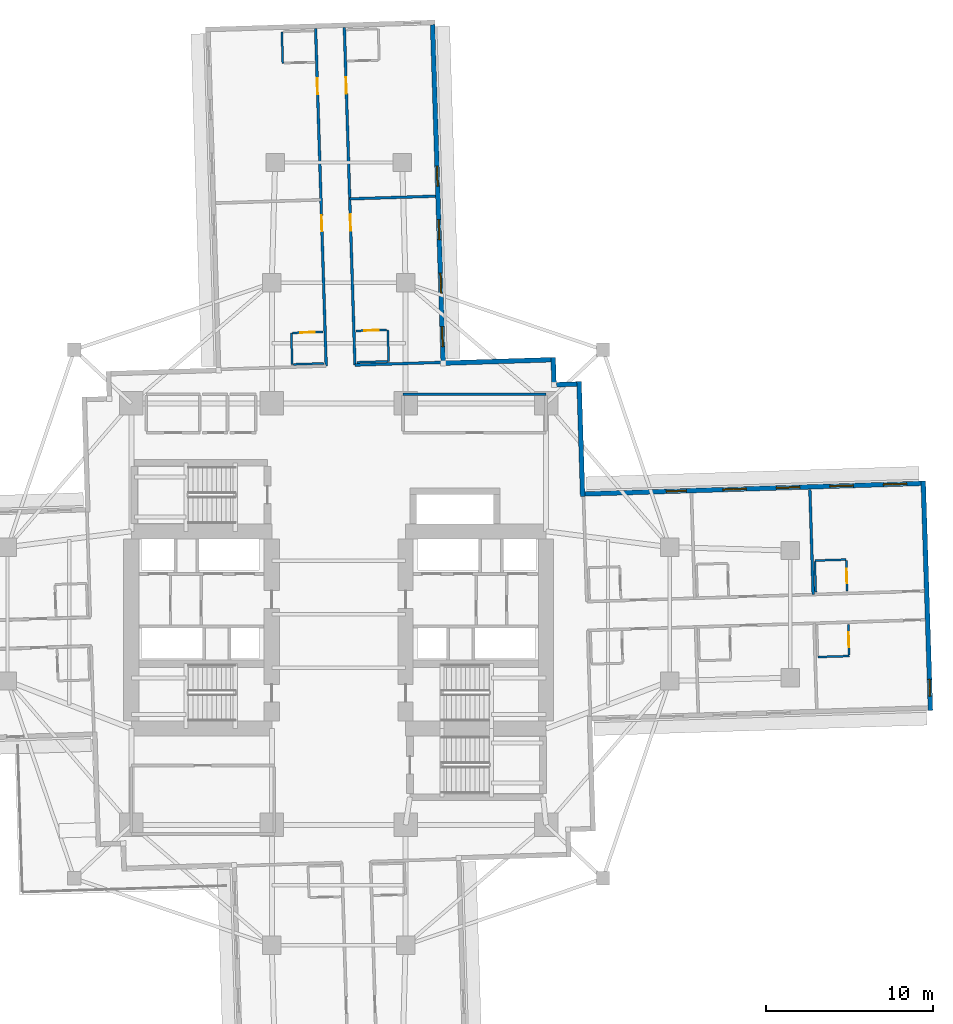
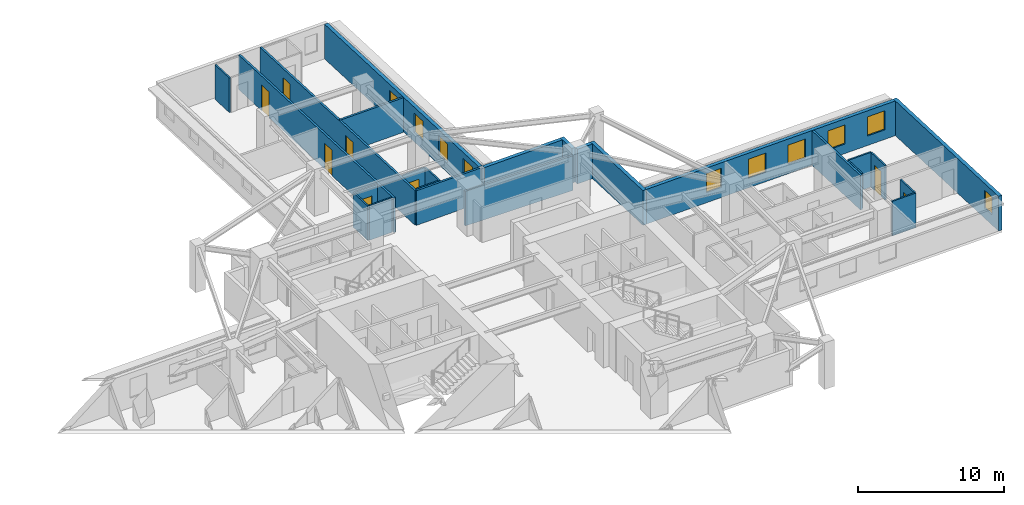
# One storey, part 8 of 14: 25 walls, 10 windows, 8 doors, 18 openings.
"""IFC4 building model written with IfcOpenShell, lengths in metres."""

from ifc_helpers import new_model, si_unit, direction, frame, frame_2d, origin, place, context, subcontext, project, spatial, rectangle, extrude, material, layer, layer_set, type_object, element, fill, save


model = new_model("IFC4")

# Units and contexts
model_context = context("Model", 3, precision=1e-05, world=origin(), true_north=direction((0.0, 1.0)))
body_context = subcontext(model_context, "Body", "Model", "MODEL_VIEW")
ifc_project = project(units=[si_unit("LENGTHUNIT", "METRE"), si_unit("AREAUNIT", "SQUARE_METRE"), si_unit("VOLUMEUNIT", "CUBIC_METRE"), si_unit("PLANEANGLEUNIT", "RADIAN"), si_unit("MASSUNIT", "GRAM", prefix="KILO")], contexts=[model_context])

# Site, building, storey
site_placement = place(None, origin())
site = spatial("IfcSite", under=ifc_project, at=site_placement, CompositionType="ELEMENT")
building_placement = place(site_placement, origin())
building = spatial("IfcBuilding", under=site, at=building_placement, Name="Qingluan Cross Belvedere", CompositionType="ELEMENT")
storey_placement = place(building_placement, frame((0.0, 0.0, 56.10009765625)))
storey = spatial("IfcBuildingStorey", under=building, at=storey_placement, Name="L14", CompositionType="ELEMENT", Elevation=56.10009765625)

# Walls
ifc_material_1 = material(Name="Gypsum plasterboard on steel stud acoustic partition", Category="steel")
ifc_layer_1 = layer(ifc_material_1, 0.159912109375, Name="CorridorPartition_160")
ifc_layer_set_1 = layer_set([ifc_layer_1], Name="Gypsum plasterboard on steel stud acoustic partition")
wall_type_1 = type_object("IfcWallType", Name="CorridorPartition_160", PredefinedType="PARTITIONING", material=ifc_layer_set_1)
wall_1_placement = place(storey_placement, frame((3.85009765625, 13.14990234375, 0.0), z_axis=(0.0, 0.0, 1.0), x_axis=(1.0, 0.0, 0.0)))
element("IfcWall", 1, at=wall_1_placement, inside=storey, type_object=wall_type_1, Name="Partition L14:q_ne:N", PredefinedType="PARTITIONING", context=body_context, shape_type="SweptSolid", body=[
    extrude(rectangle(XDim=8.5498046875, YDim=0.159912109375, at=frame_2d((4.27490234375, 0.0))), origin(), (0.0, 0.0, 1.0), 2.89990234375),
])
wall_2_placement = place(storey_placement, frame((28.3671875, 1.171630859375, 0.0), z_axis=(0.0, 0.0, 1.0), x_axis=(-0.031429784908, 0.999505962274, 0.0)))
element("IfcWall", 2, at=wall_2_placement, inside=storey, type_object=wall_type_1, Name="Partition L14:E:d0_1", PredefinedType="PARTITIONING", context=body_context, shape_type="SweptSolid", body=[
    extrude(rectangle(XDim=6.2919921875, YDim=0.159912109375, at=frame_2d((3.14599609375, 0.0))), origin(), (0.0, 0.0, 1.0), 2.89990234375),
])

# Wall, openings, doors
wall_3_placement = place(storey_placement, frame((0.972900390625, 14.887939453125, 0.0), z_axis=(0.0, 0.0, 1.0), x_axis=(-0.031416030536, 0.99950639469, 0.0)))
wall_3 = element("IfcWall", 3, at=wall_3_placement, inside=storey, type_object=wall_type_1, Name="Partition L14:N:c0", PredefinedType="PARTITIONING", context=body_context, shape_type="SweptSolid", body=[
    extrude(rectangle(XDim=20.181884765625, YDim=0.159912109375, at=frame_2d((10.0908203125, 0.0))), origin(), (0.0, 0.0, 1.0), 2.89990234375),
])
opening_1_placement = place(wall_3_placement, frame((8.047119140625, 0.0, 0.0)))
opening_1 = element("IfcOpeningElement", 4, at=opening_1_placement, cuts=wall_3, Name="Opening GD-10", PredefinedType="OPENING", context=body_context, shape_type="SweptSolid", body=[
    extrude(rectangle(XDim=0.9599609375, YDim=2.14990234375, at=frame_2d((0.47998046875, 1.074951171875))), frame((0.0, 0.08984375, 0.0), z_axis=(0.0, -1.0, 0.0), x_axis=(1.0, 0.0, 0.0)), (0.0, 0.0, 1.0), 0.179931640625),
])
opening_2_placement = place(wall_3_placement, frame((16.242919921875, 0.0, 0.0)))
opening_2 = element("IfcOpeningElement", 5, at=opening_2_placement, cuts=wall_3, Name="Opening GD-10", PredefinedType="OPENING", context=body_context, shape_type="SweptSolid", body=[
    extrude(rectangle(XDim=0.9599609375, YDim=2.14990234375, at=frame_2d((0.47998046875, 1.074951171875))), frame((0.0, 0.08984375, 0.0), z_axis=(0.0, -1.0, 0.0), x_axis=(1.0, 0.0, 0.0)), (0.0, 0.0, 1.0), 0.179931640625),
])
ifc_material_2 = material(Name="Timber oak fire-rated acoustic guestroom door", Category="wood")
door_type_1 = type_object("IfcDoorType", Name="GuestEntryDoor_FD60", OperationType="NOTDEFINED", PredefinedType="DOOR", material=ifc_material_2)
door_1_placement = place(opening_1_placement, origin())
door_1 = element("IfcDoor", 6, at=door_1_placement, inside=storey, type_object=door_type_1, Name="Guest entry fire door 1413", OperationType="SINGLE_SWING_LEFT", OverallHeight=2.14990234375, OverallWidth=0.9599609375, PredefinedType="DOOR", context=body_context, shape_type="SweptSolid", body=[
    extrude(rectangle(XDim=0.9599609375, YDim=2.14990234375, at=frame_2d((0.47998046875, 1.074951171875))), frame((0.0, 0.02490234375, 0.0), z_axis=(0.0, -1.0, 0.0), x_axis=(1.0, 0.0, 0.0)), (0.0, 0.0, 1.0), 0.050048828125),
])
fill(opening_1, door_1)
door_2_placement = place(opening_2_placement, origin())
door_2 = element("IfcDoor", 7, at=door_2_placement, inside=storey, type_object=door_type_1, Name="Guest entry fire door 1414", OperationType="SINGLE_SWING_LEFT", OverallHeight=2.14990234375, OverallWidth=0.9599609375, PredefinedType="DOOR", context=body_context, shape_type="SweptSolid", body=[
    extrude(rectangle(XDim=0.9599609375, YDim=2.14990234375, at=frame_2d((0.47998046875, 1.074951171875))), frame((0.0, 0.02490234375, 0.0), z_axis=(0.0, -1.0, 0.0), x_axis=(1.0, 0.0, 0.0)), (0.0, 0.0, 1.0), 0.050048828125),
])
fill(opening_2, door_2)

# Walls
wall_4_placement = place(storey_placement, frame((0.972900390625, 14.887939453125, 0.0), z_axis=(0.0, 0.0, 1.0), x_axis=(0.99950701053, 0.031396431354, 0.0)))
element("IfcWall", 8, at=wall_4_placement, inside=storey, type_object=wall_type_1, Name="Partition L14:N:s0", PredefinedType="PARTITIONING", context=body_context, shape_type="SweptSolid", body=[
    extrude(rectangle(XDim=5.280029296875, YDim=0.159912109375, at=frame_2d((2.64013671875, 0.0))), origin(), (0.0, 0.0, 1.0), 2.89990234375),
])
wall_5_placement = place(storey_placement, frame((0.66064453125, 24.823974609375, 0.0), z_axis=(0.0, 0.0, 1.0), x_axis=(0.999506957349, 0.031398124315, 0.0)))
element("IfcWall", 9, at=wall_5_placement, inside=storey, type_object=wall_type_1, Name="Partition L14:N:d0_0", PredefinedType="PARTITIONING", context=body_context, shape_type="SweptSolid", body=[
    extrude(rectangle(XDim=5.1318359375, YDim=0.159912109375, at=frame_2d((2.56591796875, 0.0))), origin(), (0.0, 0.0, 1.0), 2.89990234375),
])

# Wall, openings, doors
wall_6_placement = place(storey_placement, frame((-0.746337890625, 14.833984375, 0.0), z_axis=(0.0, 0.0, 1.0), x_axis=(-0.031416030536, 0.99950639469, 0.0)))
wall_6 = element("IfcWall", 10, at=wall_6_placement, inside=storey, type_object=wall_type_1, Name="Partition L14:N:c1", PredefinedType="PARTITIONING", context=body_context, shape_type="SweptSolid", body=[
    extrude(rectangle(XDim=20.181884765625, YDim=0.159912109375, at=frame_2d((10.0908203125, 0.0))), origin(), (0.0, 0.0, 1.0), 2.89990234375),
])
opening_3_placement = place(wall_6_placement, frame((8.047119140625, 0.0, 0.0)))
opening_3 = element("IfcOpeningElement", 11, at=opening_3_placement, cuts=wall_6, Name="Opening GD-10", PredefinedType="OPENING", context=body_context, shape_type="SweptSolid", body=[
    extrude(rectangle(XDim=0.9599609375, YDim=2.14990234375, at=frame_2d((0.47998046875, 1.074951171875))), frame((0.0, 0.08984375, 0.0), z_axis=(0.0, -1.0, 0.0), x_axis=(1.0, 0.0, 0.0)), (0.0, 0.0, 1.0), 0.179931640625),
])
opening_4_placement = place(wall_6_placement, frame((16.242919921875, 0.0, 0.0)))
opening_4 = element("IfcOpeningElement", 12, at=opening_4_placement, cuts=wall_6, Name="Opening GD-10", PredefinedType="OPENING", context=body_context, shape_type="SweptSolid", body=[
    extrude(rectangle(XDim=0.9599609375, YDim=2.14990234375, at=frame_2d((0.47998046875, 1.074951171875))), frame((0.0, 0.08984375, 0.0), z_axis=(0.0, -1.0, 0.0), x_axis=(1.0, 0.0, 0.0)), (0.0, 0.0, 1.0), 0.179931640625),
])
door_3_placement = place(opening_3_placement, origin())
door_3 = element("IfcDoor", 13, at=door_3_placement, inside=storey, type_object=door_type_1, Name="Guest entry fire door 1415", OperationType="SINGLE_SWING_LEFT", OverallHeight=2.14990234375, OverallWidth=0.9599609375, PredefinedType="DOOR", context=body_context, shape_type="SweptSolid", body=[
    extrude(rectangle(XDim=0.9599609375, YDim=2.14990234375, at=frame_2d((0.47998046875, 1.074951171875))), frame((0.0, 0.02490234375, 0.0), z_axis=(0.0, -1.0, 0.0), x_axis=(1.0, 0.0, 0.0)), (0.0, 0.0, 1.0), 0.050048828125),
])
fill(opening_3, door_3)
door_4_placement = place(opening_4_placement, origin())
door_4 = element("IfcDoor", 14, at=door_4_placement, inside=storey, type_object=door_type_1, Name="Guest entry fire door 1416", OperationType="SINGLE_SWING_LEFT", OverallHeight=2.14990234375, OverallWidth=0.9599609375, PredefinedType="DOOR", context=body_context, shape_type="SweptSolid", body=[
    extrude(rectangle(XDim=0.9599609375, YDim=2.14990234375, at=frame_2d((0.47998046875, 1.074951171875))), frame((0.0, 0.02490234375, 0.0), z_axis=(0.0, -1.0, 0.0), x_axis=(1.0, 0.0, 0.0)), (0.0, 0.0, 1.0), 0.050048828125),
])
fill(opening_4, door_4)

# Wall, opening, door
ifc_material_3 = material(Name="Moisture-resistant gypsum board lining")
ifc_layer_2 = layer(ifc_material_3, 0.1201171875, Name="EnsuiteWetPartition_120")
ifc_layer_set_2 = layer_set([ifc_layer_2], Name="Moisture-resistant gypsum board lining")
wall_type_2 = type_object("IfcWallType", Name="EnsuiteWetPartition_120", PredefinedType="PARTITIONING", material=ifc_layer_set_2)
wall_7_placement = place(storey_placement, frame((30.40185546875, 1.37548828125, 0.0), z_axis=(0.0, 0.0, 1.0), x_axis=(-0.03152371574, 0.999503004171, 0.0)))
wall_7 = element("IfcWall", 15, at=wall_7_placement, inside=storey, type_object=wall_type_2, Name="Partition L14:E:bs0_2", PredefinedType="PARTITIONING", context=body_context, shape_type="SweptSolid", body=[
    extrude(rectangle(XDim=1.820068359375, YDim=0.1201171875, at=frame_2d((0.91015625, 0.0))), origin(), (0.0, 0.0, 1.0), 2.89990234375),
])
opening_5_placement = place(wall_7_placement, frame((0.469970703125, 0.0, 0.0)))
opening_5 = element("IfcOpeningElement", 16, at=opening_5_placement, cuts=wall_7, Name="Opening BD-09", PredefinedType="OPENING", context=body_context, shape_type="SweptSolid", body=[
    extrude(rectangle(XDim=0.8798828125, YDim=2.10009765625, at=frame_2d((0.43994140625, 1.050048828125))), frame((0.0, 0.070068359375, 0.0), z_axis=(0.0, -1.0, 0.0), x_axis=(1.0, 0.0, 0.0)), (0.0, 0.0, 1.0), 0.14013671875),
])
ifc_material_4 = material(Name="Moisture-sealed timber en-suite door", Category="wood")
door_type_2 = type_object("IfcDoorType", Name="BathroomDoor_880", OperationType="NOTDEFINED", PredefinedType="DOOR", material=ifc_material_4)
door_5_placement = place(opening_5_placement, origin())
door_5 = element("IfcDoor", 17, at=door_5_placement, inside=storey, type_object=door_type_2, Name="Bathroom door 1403", OperationType="SINGLE_SWING_RIGHT", OverallHeight=2.10009765625, OverallWidth=0.8798828125, PredefinedType="DOOR", context=body_context, shape_type="SweptSolid", body=[
    extrude(rectangle(XDim=0.8798828125, YDim=2.10009765625, at=frame_2d((0.43994140625, 1.050048828125))), frame((0.0, 0.02490234375, 0.0), z_axis=(0.0, -1.0, 0.0), x_axis=(1.0, 0.0, 0.0)), (0.0, 0.0, 1.0), 0.050048828125),
])
fill(opening_5, door_5)

# Walls
wall_8_placement = place(storey_placement, frame((28.522705078125, 1.316650390625, 0.0), z_axis=(0.0, 0.0, 1.0), x_axis=(-0.031389704724, 0.999507221803, 0.0)))
element("IfcWall", 18, at=wall_8_placement, inside=storey, type_object=wall_type_2, Name="Partition L14:E:bw0_2", PredefinedType="PARTITIONING", context=body_context, shape_type="SweptSolid", body=[
    extrude(rectangle(XDim=1.820068359375, YDim=0.1201171875, at=frame_2d((0.91015625, 0.0))), origin(), (0.0, 0.0, 1.0), 2.89990234375),
])
wall_9_placement = place(storey_placement, frame((28.46337890625, 3.20068359375, 0.0), z_axis=(0.0, 0.0, 1.0), x_axis=(0.999506103526, 0.031425292588, 0.0)))
element("IfcWall", 19, at=wall_9_placement, inside=storey, type_object=wall_type_2, Name="Partition L14:E:bn0_2", PredefinedType="PARTITIONING", context=body_context, shape_type="SweptSolid", body=[
    extrude(rectangle(XDim=1.880126953125, YDim=0.1201171875, at=frame_2d((0.93994140625, 0.0))), origin(), (0.0, 0.0, 1.0), 2.89990234375),
])

# Wall, opening, door
wall_10_placement = place(storey_placement, frame((30.521728515625, -2.4423828125, 0.0), z_axis=(0.0, 0.0, 1.0), x_axis=(-0.031389704724, 0.999507221803, 0.0)))
wall_10 = element("IfcWall", 20, at=wall_10_placement, inside=storey, type_object=wall_type_2, Name="Partition L14:E:bs1_2", PredefinedType="PARTITIONING", context=body_context, shape_type="SweptSolid", body=[
    extrude(rectangle(XDim=1.820068359375, YDim=0.1201171875, at=frame_2d((0.91015625, 0.0))), origin(), (0.0, 0.0, 1.0), 2.89990234375),
])
opening_6_placement = place(wall_10_placement, frame((0.469970703125, 0.0, 0.0)))
opening_6 = element("IfcOpeningElement", 21, at=opening_6_placement, cuts=wall_10, Name="Opening BD-09", PredefinedType="OPENING", context=body_context, shape_type="SweptSolid", body=[
    extrude(rectangle(XDim=0.8798828125, YDim=2.10009765625, at=frame_2d((0.43994140625, 1.050048828125))), frame((0.0, 0.070068359375, 0.0), z_axis=(0.0, -1.0, 0.0), x_axis=(1.0, 0.0, 0.0)), (0.0, 0.0, 1.0), 0.14013671875),
])
door_6_placement = place(opening_6_placement, origin())
door_6 = element("IfcDoor", 22, at=door_6_placement, inside=storey, type_object=door_type_2, Name="Bathroom door 1406", OperationType="SINGLE_SWING_RIGHT", OverallHeight=2.10009765625, OverallWidth=0.8798828125, PredefinedType="DOOR", context=body_context, shape_type="SweptSolid", body=[
    extrude(rectangle(XDim=0.8798828125, YDim=2.10009765625, at=frame_2d((0.43994140625, 1.050048828125))), frame((0.0, 0.02490234375, 0.0), z_axis=(0.0, -1.0, 0.0), x_axis=(1.0, 0.0, 0.0)), (0.0, 0.0, 1.0), 0.050048828125),
])
fill(opening_6, door_6)

# Wall
wall_11_placement = place(storey_placement, frame((28.644775390625, -2.56640625, 0.0), z_axis=(0.0, 0.0, 1.0), x_axis=(0.999510046681, 0.031299625942, 0.0)))
element("IfcWall", 23, at=wall_11_placement, inside=storey, type_object=wall_type_2, Name="Partition L14:E:bc1_2", PredefinedType="PARTITIONING", context=body_context, shape_type="SweptSolid", body=[
    extrude(rectangle(XDim=1.8798828125, YDim=0.1201171875, at=frame_2d((0.93994140625, 0.0))), origin(), (0.0, 0.0, 1.0), 2.89990234375),
])

# Wall, opening, door
wall_12_placement = place(storey_placement, frame((1.048583984375, 16.931396484375, 0.0), z_axis=(0.0, 0.0, 1.0), x_axis=(0.999507353951, 0.031385496622, 0.0)))
wall_12 = element("IfcWall", 24, at=wall_12_placement, inside=storey, type_object=wall_type_2, Name="Partition L14:N:bs0_0", PredefinedType="PARTITIONING", context=body_context, shape_type="SweptSolid", body=[
    extrude(rectangle(XDim=1.8203125, YDim=0.1201171875, at=frame_2d((0.91015625, 0.0))), origin(), (0.0, 0.0, 1.0), 2.89990234375),
])
opening_7_placement = place(wall_12_placement, frame((0.469970703125, 0.0, 0.0)))
opening_7 = element("IfcOpeningElement", 25, at=opening_7_placement, cuts=wall_12, Name="Opening BD-09", PredefinedType="OPENING", context=body_context, shape_type="SweptSolid", body=[
    extrude(rectangle(XDim=0.8798828125, YDim=2.10009765625, at=frame_2d((0.43994140625, 1.050048828125))), frame((0.0, 0.070068359375, 0.0), z_axis=(0.0, -1.0, 0.0), x_axis=(1.0, 0.0, 0.0)), (0.0, 0.0, 1.0), 0.14013671875),
])
door_7_placement = place(opening_7_placement, origin())
door_7 = element("IfcDoor", 26, at=door_7_placement, inside=storey, type_object=door_type_2, Name="Bathroom door 1413", OperationType="SINGLE_SWING_RIGHT", OverallHeight=2.10009765625, OverallWidth=0.8798828125, PredefinedType="DOOR", context=body_context, shape_type="SweptSolid", body=[
    extrude(rectangle(XDim=0.8798828125, YDim=2.10009765625, at=frame_2d((0.43994140625, 1.050048828125))), frame((0.0, 0.02490234375, 0.0), z_axis=(0.0, -1.0, 0.0), x_axis=(1.0, 0.0, 0.0)), (0.0, 0.0, 1.0), 0.050048828125),
])
fill(opening_7, door_7)

# Walls
wall_13_placement = place(storey_placement, frame((1.107666015625, 15.05224609375, 0.0), z_axis=(0.0, 0.0, 1.0), x_axis=(0.999507221803, 0.031389704724, 0.0)))
element("IfcWall", 27, at=wall_13_placement, inside=storey, type_object=wall_type_2, Name="Partition L14:N:bw0_0", PredefinedType="PARTITIONING", context=body_context, shape_type="SweptSolid", body=[
    extrude(rectangle(XDim=1.820068359375, YDim=0.1201171875, at=frame_2d((0.91015625, 0.0))), origin(), (0.0, 0.0, 1.0), 2.89990234375),
])
wall_14_placement = place(storey_placement, frame((2.99169921875, 15.111328125, 0.0), z_axis=(0.0, 0.0, 1.0), x_axis=(-0.031295563454, 0.999510173889, 0.0)))
element("IfcWall", 28, at=wall_14_placement, inside=storey, type_object=wall_type_2, Name="Partition L14:N:bn0_0", PredefinedType="PARTITIONING", context=body_context, shape_type="SweptSolid", body=[
    extrude(rectangle(XDim=1.880126953125, YDim=0.1201171875, at=frame_2d((0.93994140625, 0.0))), origin(), (0.0, 0.0, 1.0), 2.89990234375),
])

# Wall, opening, door
wall_15_placement = place(storey_placement, frame((-2.769287109375, 16.811279296875, 0.0), z_axis=(0.0, 0.0, 1.0), x_axis=(0.999507221803, 0.031389704724, 0.0)))
wall_15 = element("IfcWall", 29, at=wall_15_placement, inside=storey, type_object=wall_type_2, Name="Partition L14:N:bs1_0", PredefinedType="PARTITIONING", context=body_context, shape_type="SweptSolid", body=[
    extrude(rectangle(XDim=1.820068359375, YDim=0.1201171875, at=frame_2d((0.91015625, 0.0))), origin(), (0.0, 0.0, 1.0), 2.89990234375),
])
opening_8_placement = place(wall_15_placement, frame((0.469970703125, 0.0, 0.0)))
opening_8 = element("IfcOpeningElement", 30, at=opening_8_placement, cuts=wall_15, Name="Opening BD-09", PredefinedType="OPENING", context=body_context, shape_type="SweptSolid", body=[
    extrude(rectangle(XDim=0.8798828125, YDim=2.10009765625, at=frame_2d((0.43994140625, 1.050048828125))), frame((0.0, 0.070068359375, 0.0), z_axis=(0.0, -1.0, 0.0), x_axis=(1.0, 0.0, 0.0)), (0.0, 0.0, 1.0), 0.14013671875),
])
door_8_placement = place(opening_8_placement, origin())
door_8 = element("IfcDoor", 31, at=door_8_placement, inside=storey, type_object=door_type_2, Name="Bathroom door 1415", OperationType="SINGLE_SWING_RIGHT", OverallHeight=2.10009765625, OverallWidth=0.8798828125, PredefinedType="DOOR", context=body_context, shape_type="SweptSolid", body=[
    extrude(rectangle(XDim=0.8798828125, YDim=2.10009765625, at=frame_2d((0.43994140625, 1.050048828125))), frame((0.0, 0.02490234375, 0.0), z_axis=(0.0, -1.0, 0.0), x_axis=(1.0, 0.0, 0.0)), (0.0, 0.0, 1.0), 0.050048828125),
])
fill(opening_8, door_8)

# Walls
wall_16_placement = place(storey_placement, frame((-2.71044921875, 14.93212890625, 0.0), z_axis=(0.0, 0.0, 1.0), x_axis=(0.999503004171, 0.03152371574, 0.0)))
element("IfcWall", 32, at=wall_16_placement, inside=storey, type_object=wall_type_2, Name="Partition L14:N:bw1_0", PredefinedType="PARTITIONING", context=body_context, shape_type="SweptSolid", body=[
    extrude(rectangle(XDim=1.820068359375, YDim=0.1201171875, at=frame_2d((0.91015625, 0.0))), origin(), (0.0, 0.0, 1.0), 2.89990234375),
])
wall_17_placement = place(storey_placement, frame((-2.775390625, 14.93017578125, 0.0), z_axis=(0.0, 0.0, 1.0), x_axis=(-0.031425292588, 0.999506103526, 0.0)))
element("IfcWall", 33, at=wall_17_placement, inside=storey, type_object=wall_type_2, Name="Partition L14:N:bc1_0", PredefinedType="PARTITIONING", context=body_context, shape_type="SweptSolid", body=[
    extrude(rectangle(XDim=1.880126953125, YDim=0.1201171875, at=frame_2d((0.93994140625, 0.0))), origin(), (0.0, 0.0, 1.0), 2.89990234375),
])
wall_18_placement = place(storey_placement, frame((-3.341064453125, 32.931396484375, 0.0), z_axis=(0.0, 0.0, 1.0), x_axis=(-0.031429371883, 0.999505975261, 0.0)))
element("IfcWall", 34, at=wall_18_placement, inside=storey, type_object=wall_type_2, Name="Partition L14:N:bc1_1", PredefinedType="PARTITIONING", context=body_context, shape_type="SweptSolid", body=[
    extrude(rectangle(XDim=1.8798828125, YDim=0.1201171875, at=frame_2d((0.93994140625, 0.0))), origin(), (0.0, 0.0, 1.0), 2.89990234375),
])

# Wall, openings, windows
ifc_material_5 = material(Name="Precast concrete C45", Category="concrete")
ifc_layer_3 = layer(ifc_material_5, 0.280029296875, Name="PrecastFacadeWall_280")
ifc_layer_set_3 = layer_set([ifc_layer_3], Name="Precast concrete C45")
wall_type_3 = type_object("IfcWallType", Name="PrecastFacadeWall_280", PredefinedType="STANDARD", material=ifc_layer_set_3)
wall_19_placement = place(storey_placement, frame((34.8115234375, 7.8173828125, 0.0), z_axis=(0.0, 0.0, 1.0), x_axis=(-0.999506574096, -0.031410322165, 0.0)))
wall_19 = element("IfcWall", 35, at=wall_19_placement, inside=storey, type_object=wall_type_3, Name="Facade wall L14-EB", PredefinedType="STANDARD", context=body_context, shape_type="SweptSolid", body=[
    extrude(rectangle(XDim=20.10009765625, YDim=0.280029296875, at=frame_2d((10.050048828125, 0.0))), origin(), (0.0, 0.0, 1.0), 2.909912109375),
])
opening_9_placement = place(wall_19_placement, frame((0.85009765625, 0.0, 0.800048828125)))
opening_9 = element("IfcOpeningElement", 36, at=opening_9_placement, cuts=wall_19, Name="Opening W-01", PredefinedType="OPENING", context=body_context, shape_type="SweptSolid", body=[
    extrude(rectangle(XDim=1.39990234375, YDim=1.60009765625, at=frame_2d((0.699951171875, 0.800048828125))), frame((0.0, 0.14990234375, 0.0), z_axis=(0.0, -1.0, 0.0), x_axis=(1.0, 0.0, 0.0)), (0.0, 0.0, 1.0), 0.300048828125),
])
opening_10_placement = place(wall_19_placement, frame((4.050048828125, 0.0, 0.800048828125)))
opening_10 = element("IfcOpeningElement", 37, at=opening_10_placement, cuts=wall_19, Name="Opening W-01", PredefinedType="OPENING", context=body_context, shape_type="SweptSolid", body=[
    extrude(rectangle(XDim=1.39990234375, YDim=1.60009765625, at=frame_2d((0.699951171875, 0.800048828125))), frame((0.0, 0.14990234375, 0.0), z_axis=(0.0, -1.0, 0.0), x_axis=(1.0, 0.0, 0.0)), (0.0, 0.0, 1.0), 0.300048828125),
])
opening_11_placement = place(wall_19_placement, frame((7.25, 0.0, 0.800048828125)))
opening_11 = element("IfcOpeningElement", 38, at=opening_11_placement, cuts=wall_19, Name="Opening W-01", PredefinedType="OPENING", context=body_context, shape_type="SweptSolid", body=[
    extrude(rectangle(XDim=1.39990234375, YDim=1.60009765625, at=frame_2d((0.699951171875, 0.800048828125))), frame((0.0, 0.14990234375, 0.0), z_axis=(0.0, -1.0, 0.0), x_axis=(1.0, 0.0, 0.0)), (0.0, 0.0, 1.0), 0.300048828125),
])
opening_12_placement = place(wall_19_placement, frame((10.449951171875, 0.0, 0.800048828125)))
opening_12 = element("IfcOpeningElement", 39, at=opening_12_placement, cuts=wall_19, Name="Opening W-01", PredefinedType="OPENING", context=body_context, shape_type="SweptSolid", body=[
    extrude(rectangle(XDim=1.39990234375, YDim=1.60009765625, at=frame_2d((0.699951171875, 0.800048828125))), frame((0.0, 0.14990234375, 0.0), z_axis=(0.0, -1.0, 0.0), x_axis=(1.0, 0.0, 0.0)), (0.0, 0.0, 1.0), 0.300048828125),
])
opening_13_placement = place(wall_19_placement, frame((14.034912109375, 0.0, 0.85009765625)))
opening_13 = element("IfcOpeningElement", 40, at=opening_13_placement, cuts=wall_19, Name="Opening W-02", PredefinedType="OPENING", context=body_context, shape_type="SweptSolid", body=[
    extrude(rectangle(XDim=1.199951171875, YDim=1.60009765625, at=frame_2d((0.60009765625, 0.800048828125))), frame((0.0, 0.14990234375, 0.0), z_axis=(0.0, -1.0, 0.0), x_axis=(1.0, 0.0, 0.0)), (0.0, 0.0, 1.0), 0.300048828125),
])
ifc_material_6 = material(Name="Thermally broken triple Low-E glass in aluminium frame", Category="aluminium")
window_type_1 = type_object("IfcWindowType", Name="TriRibbonWin_1200x1600", PartitioningType="SINGLE_PANEL", PredefinedType="WINDOW", material=ifc_material_6)
window_1_placement = place(opening_13_placement, origin())
window_1 = element("IfcWindow", 41, at=window_1_placement, inside=storey, type_object=window_type_1, Name="Deluxe guest room 1401 daylight window", OverallHeight=1.60009765625, OverallWidth=1.199951171875, PartitioningType="SINGLE_PANEL", PredefinedType="WINDOW", context=body_context, shape_type="SweptSolid", body=[
    extrude(rectangle(XDim=1.199951171875, YDim=1.60009765625, at=frame_2d((0.60009765625, 0.800048828125))), frame((0.0, 0.030029296875, 0.0), z_axis=(0.0, -1.0, 0.0), x_axis=(1.0, 0.0, 0.0)), (0.0, 0.0, 1.0), 0.06005859375),
])
fill(opening_13, window_1)
ifc_material_7 = material(Name="Thermally broken triple Low-E glass in aluminium frame", Category="aluminium")
window_type_2 = type_object("IfcWindowType", Name="TriRibbonWin_1400x1600", PartitioningType="SINGLE_PANEL", PredefinedType="WINDOW", material=ifc_material_7)
window_2_placement = place(opening_9_placement, origin())
window_2 = element("IfcWindow", 42, at=window_2_placement, inside=storey, type_object=window_type_2, Name="Ribbon window L14-EB-1", OverallHeight=1.60009765625, OverallWidth=1.39990234375, PartitioningType="SINGLE_PANEL", PredefinedType="WINDOW", context=body_context, shape_type="SweptSolid", body=[
    extrude(rectangle(XDim=1.39990234375, YDim=1.60009765625, at=frame_2d((0.699951171875, 0.800048828125))), frame((0.0, 0.030029296875, 0.0), z_axis=(0.0, -1.0, 0.0), x_axis=(1.0, 0.0, 0.0)), (0.0, 0.0, 1.0), 0.06005859375),
])
fill(opening_9, window_2)
window_3_placement = place(opening_10_placement, origin())
window_3 = element("IfcWindow", 43, at=window_3_placement, inside=storey, type_object=window_type_2, Name="Ribbon window L14-EB-2", OverallHeight=1.60009765625, OverallWidth=1.39990234375, PartitioningType="SINGLE_PANEL", PredefinedType="WINDOW", context=body_context, shape_type="SweptSolid", body=[
    extrude(rectangle(XDim=1.39990234375, YDim=1.60009765625, at=frame_2d((0.699951171875, 0.800048828125))), frame((0.0, 0.030029296875, 0.0), z_axis=(0.0, -1.0, 0.0), x_axis=(1.0, 0.0, 0.0)), (0.0, 0.0, 1.0), 0.06005859375),
])
fill(opening_10, window_3)
window_4_placement = place(opening_11_placement, origin())
window_4 = element("IfcWindow", 44, at=window_4_placement, inside=storey, type_object=window_type_2, Name="Ribbon window L14-EB-3", OverallHeight=1.60009765625, OverallWidth=1.39990234375, PartitioningType="SINGLE_PANEL", PredefinedType="WINDOW", context=body_context, shape_type="SweptSolid", body=[
    extrude(rectangle(XDim=1.39990234375, YDim=1.60009765625, at=frame_2d((0.699951171875, 0.800048828125))), frame((0.0, 0.030029296875, 0.0), z_axis=(0.0, -1.0, 0.0), x_axis=(1.0, 0.0, 0.0)), (0.0, 0.0, 1.0), 0.06005859375),
])
fill(opening_11, window_4)
window_5_placement = place(opening_12_placement, origin())
window_5 = element("IfcWindow", 45, at=window_5_placement, inside=storey, type_object=window_type_2, Name="Ribbon window L14-EB-4", OverallHeight=1.60009765625, OverallWidth=1.39990234375, PartitioningType="SINGLE_PANEL", PredefinedType="WINDOW", context=body_context, shape_type="SweptSolid", body=[
    extrude(rectangle(XDim=1.39990234375, YDim=1.60009765625, at=frame_2d((0.699951171875, 0.800048828125))), frame((0.0, 0.030029296875, 0.0), z_axis=(0.0, -1.0, 0.0), x_axis=(1.0, 0.0, 0.0)), (0.0, 0.0, 1.0), 0.06005859375),
])
fill(opening_12, window_5)

# Wall, opening, window
wall_20_placement = place(storey_placement, frame((35.378173828125, -5.751708984375, 0.0), z_axis=(0.0, 0.0, 1.0), x_axis=(-0.031406966164, 0.999506679556, 0.0)))
wall_20 = element("IfcWall", 46, at=wall_20_placement, inside=storey, type_object=wall_type_3, Name="Arm tip precast facade wall L14-E", PredefinedType="STANDARD", context=body_context, shape_type="SweptSolid", body=[
    extrude(rectangle(XDim=13.72021484375, YDim=0.280029296875, at=frame_2d((6.860107421875, 0.0))), origin(), (0.0, 0.0, 1.0), 2.909912109375),
])
opening_14_placement = place(wall_20_placement, frame((0.85009765625, 0.0, 0.85009765625)))
opening_14 = element("IfcOpeningElement", 47, at=opening_14_placement, cuts=wall_20, Name="Opening W-03", PredefinedType="OPENING", context=body_context, shape_type="SweptSolid", body=[
    extrude(rectangle(XDim=1.0, YDim=1.5, at=frame_2d((0.5, 0.75))), frame((0.0, 0.14990234375, 0.0), z_axis=(0.0, -1.0, 0.0), x_axis=(1.0, 0.0, 0.0)), (0.0, 0.0, 1.0), 0.300048828125),
])
ifc_material_8 = material(Name="Thermally broken triple Low-E glass in aluminium frame", Category="aluminium")
window_type_3 = type_object("IfcWindowType", Name="TriApexWin_1000x1500", PartitioningType="SINGLE_PANEL", PredefinedType="WINDOW", material=ifc_material_8)
window_6_placement = place(opening_14_placement, origin())
window_6 = element("IfcWindow", 48, at=window_6_placement, inside=storey, type_object=window_type_3, Name="Arm tip triangular window L14-E", OverallHeight=1.5, OverallWidth=1.0, PartitioningType="SINGLE_PANEL", PredefinedType="WINDOW", context=body_context, shape_type="SweptSolid", body=[
    extrude(rectangle(XDim=1.0, YDim=1.5, at=frame_2d((0.5, 0.75))), frame((0.0, 0.030029296875, 0.0), z_axis=(0.0, -1.0, 0.0), x_axis=(1.0, 0.0, 0.0)), (0.0, 0.0, 1.0), 0.06005859375),
])
fill(opening_14, window_6)

# Wall, openings, windows
wall_21_placement = place(storey_placement, frame((6.247314453125, 15.143798828125, 0.0), z_axis=(0.0, 0.0, 1.0), x_axis=(-0.031398187845, 0.999506955354, 0.0)))
wall_21 = element("IfcWall", 49, at=wall_21_placement, inside=storey, type_object=wall_type_3, Name="Facade wall L14-NA", PredefinedType="STANDARD", context=body_context, shape_type="SweptSolid", body=[
    extrude(rectangle(XDim=20.10009765625, YDim=0.280029296875, at=frame_2d((10.050048828125, 0.0))), origin(), (0.0, 0.0, 1.0), 2.909912109375),
])
opening_15_placement = place(wall_21_placement, frame((0.85009765625, 0.0, 0.800048828125)))
opening_15 = element("IfcOpeningElement", 50, at=opening_15_placement, cuts=wall_21, Name="Opening W-02", PredefinedType="OPENING", context=body_context, shape_type="SweptSolid", body=[
    extrude(rectangle(XDim=1.199951171875, YDim=1.60009765625, at=frame_2d((0.60009765625, 0.800048828125))), frame((0.0, 0.14990234375, 0.0), z_axis=(0.0, -1.0, 0.0), x_axis=(1.0, 0.0, 0.0)), (0.0, 0.0, 1.0), 0.300048828125),
])
opening_16_placement = place(wall_21_placement, frame((4.050048828125, 0.0, 0.800048828125)))
opening_16 = element("IfcOpeningElement", 51, at=opening_16_placement, cuts=wall_21, Name="Opening W-02", PredefinedType="OPENING", context=body_context, shape_type="SweptSolid", body=[
    extrude(rectangle(XDim=1.199951171875, YDim=1.60009765625, at=frame_2d((0.60009765625, 0.800048828125))), frame((0.0, 0.14990234375, 0.0), z_axis=(0.0, -1.0, 0.0), x_axis=(1.0, 0.0, 0.0)), (0.0, 0.0, 1.0), 0.300048828125),
])
opening_17_placement = place(wall_21_placement, frame((7.25, 0.0, 0.800048828125)))
opening_17 = element("IfcOpeningElement", 52, at=opening_17_placement, cuts=wall_21, Name="Opening W-02", PredefinedType="OPENING", context=body_context, shape_type="SweptSolid", body=[
    extrude(rectangle(XDim=1.199951171875, YDim=1.60009765625, at=frame_2d((0.60009765625, 0.800048828125))), frame((0.0, 0.14990234375, 0.0), z_axis=(0.0, -1.0, 0.0), x_axis=(1.0, 0.0, 0.0)), (0.0, 0.0, 1.0), 0.300048828125),
])
opening_18_placement = place(wall_21_placement, frame((10.449951171875, 0.0, 0.800048828125)))
opening_18 = element("IfcOpeningElement", 53, at=opening_18_placement, cuts=wall_21, Name="Opening W-02", PredefinedType="OPENING", context=body_context, shape_type="SweptSolid", body=[
    extrude(rectangle(XDim=1.199951171875, YDim=1.60009765625, at=frame_2d((0.60009765625, 0.800048828125))), frame((0.0, 0.14990234375, 0.0), z_axis=(0.0, -1.0, 0.0), x_axis=(1.0, 0.0, 0.0)), (0.0, 0.0, 1.0), 0.300048828125),
])
window_7_placement = place(opening_15_placement, origin())
window_7 = element("IfcWindow", 54, at=window_7_placement, inside=storey, type_object=window_type_1, Name="Ribbon window L14-NA-1", OverallHeight=1.60009765625, OverallWidth=1.199951171875, PartitioningType="SINGLE_PANEL", PredefinedType="WINDOW", context=body_context, shape_type="SweptSolid", body=[
    extrude(rectangle(XDim=1.199951171875, YDim=1.60009765625, at=frame_2d((0.60009765625, 0.800048828125))), frame((0.0, 0.030029296875, 0.0), z_axis=(0.0, -1.0, 0.0), x_axis=(1.0, 0.0, 0.0)), (0.0, 0.0, 1.0), 0.06005859375),
])
fill(opening_15, window_7)
window_8_placement = place(opening_16_placement, origin())
window_8 = element("IfcWindow", 55, at=window_8_placement, inside=storey, type_object=window_type_1, Name="Ribbon window L14-NA-2", OverallHeight=1.60009765625, OverallWidth=1.199951171875, PartitioningType="SINGLE_PANEL", PredefinedType="WINDOW", context=body_context, shape_type="SweptSolid", body=[
    extrude(rectangle(XDim=1.199951171875, YDim=1.60009765625, at=frame_2d((0.60009765625, 0.800048828125))), frame((0.0, 0.030029296875, 0.0), z_axis=(0.0, -1.0, 0.0), x_axis=(1.0, 0.0, 0.0)), (0.0, 0.0, 1.0), 0.06005859375),
])
fill(opening_16, window_8)
window_9_placement = place(opening_17_placement, origin())
window_9 = element("IfcWindow", 56, at=window_9_placement, inside=storey, type_object=window_type_1, Name="Ribbon window L14-NA-3", OverallHeight=1.60009765625, OverallWidth=1.199951171875, PartitioningType="SINGLE_PANEL", PredefinedType="WINDOW", context=body_context, shape_type="SweptSolid", body=[
    extrude(rectangle(XDim=1.199951171875, YDim=1.60009765625, at=frame_2d((0.60009765625, 0.800048828125))), frame((0.0, 0.030029296875, 0.0), z_axis=(0.0, -1.0, 0.0), x_axis=(1.0, 0.0, 0.0)), (0.0, 0.0, 1.0), 0.06005859375),
])
fill(opening_17, window_9)
window_10_placement = place(opening_18_placement, origin())
window_10 = element("IfcWindow", 57, at=window_10_placement, inside=storey, type_object=window_type_1, Name="Ribbon window L14-NA-4", OverallHeight=1.60009765625, OverallWidth=1.199951171875, PartitioningType="SINGLE_PANEL", PredefinedType="WINDOW", context=body_context, shape_type="SweptSolid", body=[
    extrude(rectangle(XDim=1.199951171875, YDim=1.60009765625, at=frame_2d((0.60009765625, 0.800048828125))), frame((0.0, 0.030029296875, 0.0), z_axis=(0.0, -1.0, 0.0), x_axis=(1.0, 0.0, 0.0)), (0.0, 0.0, 1.0), 0.06005859375),
])
fill(opening_18, window_10)

# Walls
wall_22_placement = place(storey_placement, frame((14.5859375, 7.04150390625, 0.0), z_axis=(0.0, 0.0, 1.0), x_axis=(-0.031389189386, 0.999507237988, 0.0)))
element("IfcWall", 58, at=wall_22_placement, inside=storey, type_object=wall_type_3, Name="Corner wall L14-NE1", PredefinedType="STANDARD", context=body_context, shape_type="SweptSolid", body=[
    extrude(rectangle(XDim=6.860107421875, YDim=0.280029296875, at=frame_2d((3.43017578125, 0.0))), origin(), (0.0, 0.0, 1.0), 2.909912109375),
])
wall_23_placement = place(storey_placement, frame((14.235107421875, 13.75390625, 0.0), z_axis=(0.0, 0.0, 1.0), x_axis=(-0.999506398264, -0.031415916822, 0.0)))
element("IfcWall", 59, at=wall_23_placement, inside=storey, type_object=wall_type_3, Name="Corner wall L14-NE2", PredefinedType="STANDARD", context=body_context, shape_type="SweptSolid", body=[
    extrude(rectangle(XDim=1.219970703125, YDim=0.280029296875, at=frame_2d((0.60986328125, 0.0))), origin(), (0.0, 0.0, 1.0), 2.909912109375),
])
wall_24_placement = place(storey_placement, frame((12.871337890625, 13.85107421875, 0.0), z_axis=(0.0, 0.0, 1.0), x_axis=(-0.031412596484, 0.999506502621, 0.0)))
element("IfcWall", 60, at=wall_24_placement, inside=storey, type_object=wall_type_3, Name="Corner wall L14-NE3", PredefinedType="STANDARD", context=body_context, shape_type="SweptSolid", body=[
    extrude(rectangle(XDim=1.5, YDim=0.280029296875, at=frame_2d((0.75, 0.0))), origin(), (0.0, 0.0, 1.0), 2.909912109375),
])
wall_25_placement = place(storey_placement, frame((12.688720703125, 15.2060546875, 0.0), z_axis=(0.0, 0.0, 1.0), x_axis=(-0.999507262922, -0.031388395416, 0.0)))
element("IfcWall", 61, at=wall_25_placement, inside=storey, type_object=wall_type_3, Name="Corner wall L14-NE4", PredefinedType="STANDARD", context=body_context, shape_type="SweptSolid", body=[
    extrude(rectangle(XDim=6.30029296875, YDim=0.280029296875, at=frame_2d((3.150146484375, 0.0))), origin(), (0.0, 0.0, 1.0), 2.909912109375),
])

save(model, "model.ifc")
